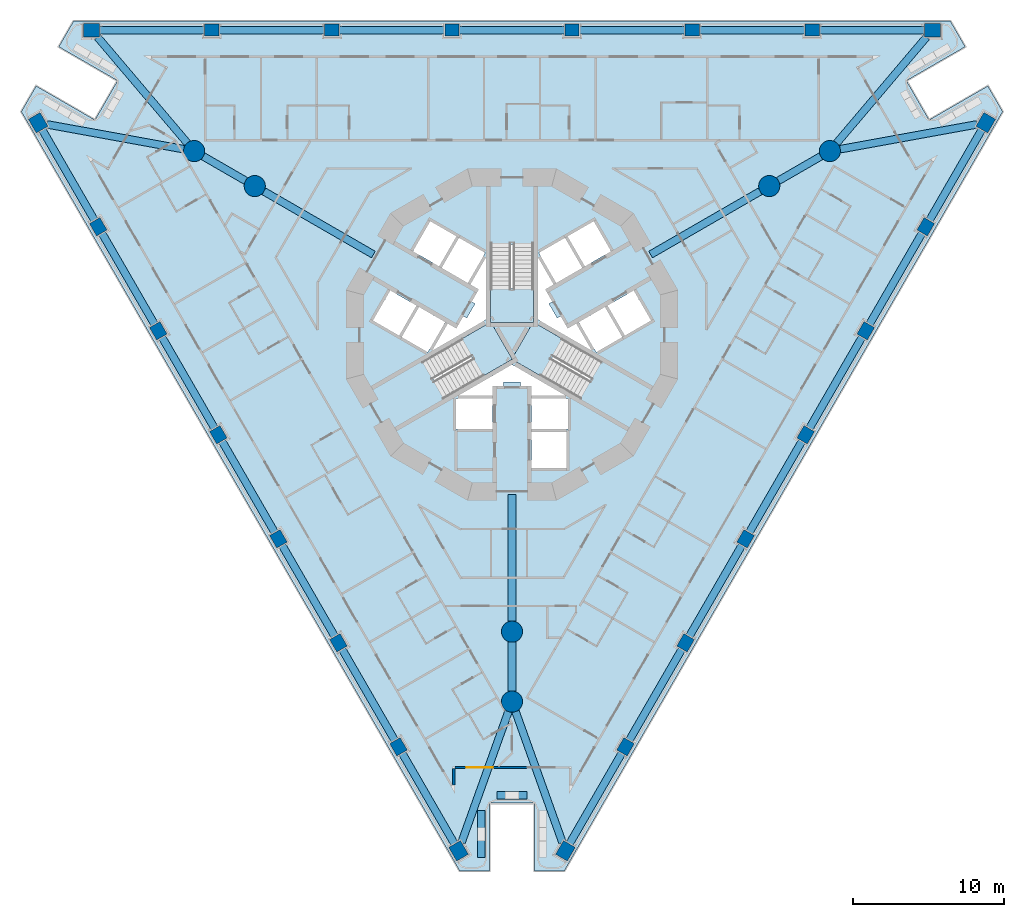
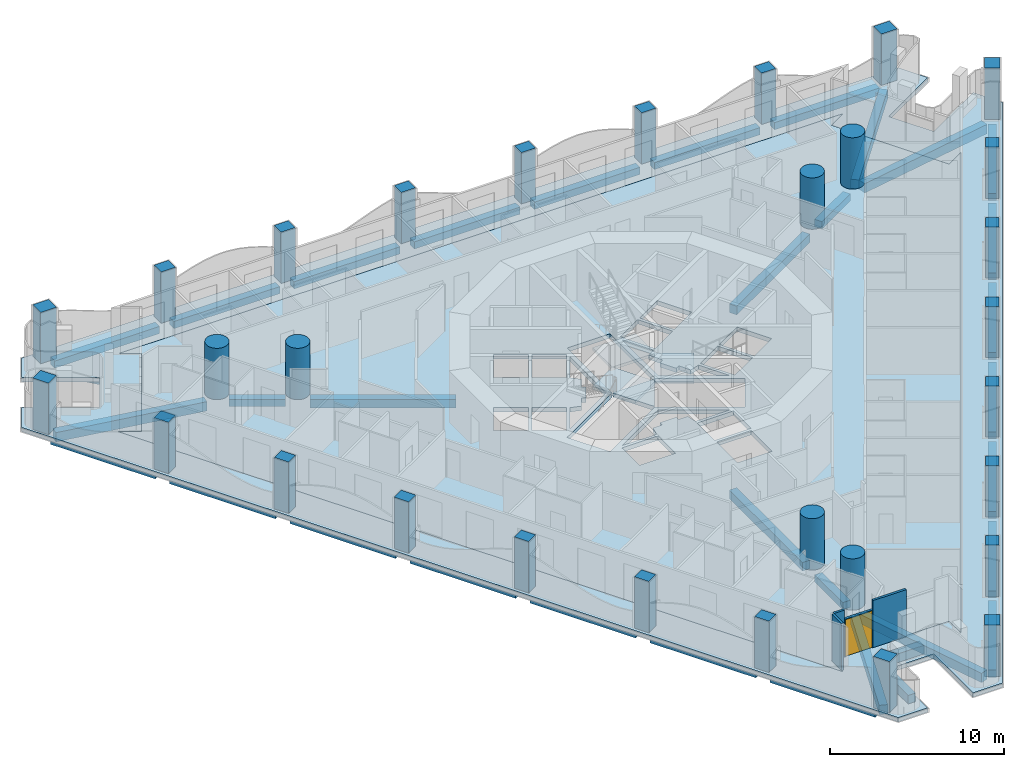
# One storey, part 1 of 19: 33 beams, 30 columns, 6 slabs, 6 walls, 1 door, 1 opening, 3 elements without a shape of their own.
"""IFC4 building model written with IfcOpenShell, lengths in metres."""

from ifc_helpers import new_model, si_unit, direction, frame, frame_2d, origin, origin_2d, place, context, subcontext, project, spatial, polyline, rectangle, circle, outline, extrude, material, layer, layer_set, material_profile, profile_set, type_object, element, fill, aggregate, save


model = new_model("IFC4")

# Units and contexts
model_context = context("Model", 3, precision=1e-05, world=origin(), true_north=direction((0.0, 1.0)))
body_context = subcontext(model_context, "Body", "Model", "MODEL_VIEW")
ifc_project = project(units=[si_unit("LENGTHUNIT", "METRE"), si_unit("AREAUNIT", "SQUARE_METRE"), si_unit("VOLUMEUNIT", "CUBIC_METRE"), si_unit("PLANEANGLEUNIT", "RADIAN"), si_unit("MASSUNIT", "GRAM", prefix="KILO")], contexts=[model_context])

# Site, building, storey
site_placement = place(None, origin())
site = spatial("IfcSite", under=ifc_project, at=site_placement, CompositionType="ELEMENT")
building_placement = place(site_placement, origin())
building = spatial("IfcBuilding", under=site, at=building_placement, Name="Trine Commons Tower", CompositionType="ELEMENT")
storey_placement = place(building_placement, frame((0.0, 0.0, 31.5)))
storey = spatial("IfcBuildingStorey", under=building, at=storey_placement, Name="L06", CompositionType="ELEMENT", Elevation=31.5)

# Columns
ifc_material_1 = material(Name="Concrete C80/95", Category="concrete")
ifc_material_profile_1 = material_profile(ifc_material_1, rectangle(XDim=1.050048828125, YDim=0.89990234375, at=origin_2d()), Name="RC 1050x900")
ifc_profile_set_1 = profile_set([ifc_material_profile_1], Name="Concrete C80/95")
column_type_1 = type_object("IfcColumnType", Name="RC column 1050x900, C80/95", PredefinedType="COLUMN", material=ifc_profile_set_1)
for number, where, z_axis, x_axis, name in (
    (1, (76.45556640625, 28.27001953125, 0.0), (0.0, 0.0, 1.0), (-0.5, 0.866025403784, 0.0), "Column PC1-01 L06"),
    (2, (48.583740234375, 76.54541015625, 0.0), (0.0, 0.0, 1.0), (-0.5, 0.866025403784, 0.0), "Column PC1-08 L06"),
    (3, (52.128173828125, 82.6845703125, 0.0), (0.0, 0.0, 1.0), (1.0, 0.0, 0.0), "Column PC1-09 L06"),
    (4, (107.871826171875, 82.6845703125, 0.0), (0.0, 0.0, 1.0), (1.0, 0.0, 0.0), "Column PC1-16 L06"),
    (5, (111.416259765625, 76.54541015625, 0.0), (0.0, 0.0, 1.0), (0.5, 0.866025403784, 0.0), "Column PC1-17 L06"),
    (6, (83.54443359375, 28.27001953125, 0.0), (0.0, 0.0, 1.0), (0.5, 0.866025403784, 0.0), "Column PC1-24 L06"),
):
    element("IfcColumn", number, at=place(storey_placement, frame(where, z_axis=z_axis, x_axis=x_axis)), inside=storey, type_object=column_type_1, Name=name, PredefinedType="COLUMN", context=body_context, shape_type="SweptSolid", body=[
        extrude(rectangle(XDim=1.050048828125, YDim=0.89990234375, at=origin_2d()), origin(), (0.0, 0.0, 1.0), 3.60009765625),
    ])
ifc_material_profile_2 = material_profile(ifc_material_1, rectangle(XDim=0.949951171875, YDim=0.800048828125, at=origin_2d()), Name="RC 950x800")
ifc_profile_set_2 = profile_set([ifc_material_profile_2], Name="Concrete C80/95")
column_type_2 = type_object("IfcColumnType", Name="RC column 950x800, C80/95", PredefinedType="COLUMN", material=ifc_profile_set_2)
for number, where, z_axis, x_axis, name in (
    (7, (72.473876953125, 35.16650390625, 0.0), (0.0, 0.0, 1.0), (-0.5, 0.866025403784, 0.0), "Column PC1-02 L06"),
    (8, (68.4921875, 42.06298828125, 0.0), (0.0, 0.0, 1.0), (-0.5, 0.866025403784, 0.0), "Column PC1-03 L06"),
    (9, (64.510498046875, 48.95947265625, 0.0), (0.0, 0.0, 1.0), (-0.5, 0.866025403784, 0.0), "Column PC1-04 L06"),
    (10, (60.52880859375, 55.85595703125, 0.0), (0.0, 0.0, 1.0), (-0.5, 0.866025403784, 0.0), "Column PC1-05 L06"),
    (11, (56.547119140625, 62.75244140625, 0.0), (0.0, 0.0, 1.0), (-0.5, 0.866025403784, 0.0), "Column PC1-06 L06"),
    (12, (52.5654296875, 69.64892578125, 0.0), (0.0, 0.0, 1.0), (-0.5, 0.866025403784, 0.0), "Column PC1-07 L06"),
    (13, (60.091552734375, 82.6845703125, 0.0), (0.0, 0.0, 1.0), (1.0, 0.0, 0.0), "Column PC1-10 L06"),
    (14, (68.054931640625, 82.6845703125, 0.0), (0.0, 0.0, 1.0), (1.0, 0.0, 0.0), "Column PC1-11 L06"),
    (15, (76.018310546875, 82.6845703125, 0.0), (0.0, 0.0, 1.0), (1.0, 0.0, 0.0), "Column PC1-12 L06"),
    (16, (83.981689453125, 82.6845703125, 0.0), (0.0, 0.0, 1.0), (1.0, 0.0, 0.0), "Column PC1-13 L06"),
    (17, (91.945068359375, 82.6845703125, 0.0), (0.0, 0.0, 1.0), (1.0, 0.0, 0.0), "Column PC1-14 L06"),
    (18, (99.908447265625, 82.6845703125, 0.0), (0.0, 0.0, 1.0), (1.0, 0.0, 0.0), "Column PC1-15 L06"),
    (19, (107.4345703125, 69.64892578125, 0.0), (0.0, 0.0, 1.0), (0.5, 0.866025403784, 0.0), "Column PC1-18 L06"),
    (20, (103.452880859375, 62.75244140625, 0.0), (0.0, 0.0, 1.0), (0.5, 0.866025403784, 0.0), "Column PC1-19 L06"),
    (21, (99.47119140625, 55.85595703125, 0.0), (0.0, 0.0, 1.0), (0.5, 0.866025403784, 0.0), "Column PC1-20 L06"),
    (22, (95.489501953125, 48.95947265625, 0.0), (0.0, 0.0, 1.0), (0.5, 0.866025403784, 0.0), "Column PC1-21 L06"),
    (23, (91.5078125, 42.06298828125, 0.0), (0.0, 0.0, 1.0), (0.5, 0.866025403784, 0.0), "Column PC1-22 L06"),
    (24, (87.526123046875, 35.16650390625, 0.0), (0.0, 0.0, 1.0), (0.5, 0.866025403784, 0.0), "Column PC1-23 L06"),
):
    element("IfcColumn", number, at=place(storey_placement, frame(where, z_axis=z_axis, x_axis=x_axis)), inside=storey, type_object=column_type_2, Name=name, PredefinedType="COLUMN", context=body_context, shape_type="SweptSolid", body=[
        extrude(rectangle(XDim=0.949951171875, YDim=0.800048828125, at=origin_2d()), origin(), (0.0, 0.0, 1.0), 3.60009765625),
    ])
ifc_material_profile_3 = material_profile(ifc_material_1, circle(Radius=0.699951171875, at=origin_2d()), Name="RC round 1400")
ifc_profile_set_3 = profile_set([ifc_material_profile_3], Name="Concrete C80/95")
column_type_3 = type_object("IfcColumnType", Name="RC round column 1400 mm, C80/95", PredefinedType="COLUMN", material=ifc_profile_set_3)
for number, where, z_axis, x_axis, name in (
    (25, (80.0, 42.802978515625, 0.0), (0.0, 0.0, 1.0), (1.0, 0.0, 0.0), "Column WC1-1 L06"),
    (26, (80.0, 38.162109375, 0.0), (0.0, 0.0, 1.0), (1.0, 0.0, 0.0), "Column WC1-2 L06"),
    (27, (97.05810546875, 72.348388671875, 0.0), (0.0, 0.0, 1.0), (1.0, 0.0, 0.0), "Column WC1-3 L06"),
    (28, (101.0771484375, 74.6689453125, 0.0), (0.0, 0.0, 1.0), (1.0, 0.0, 0.0), "Column WC1-4 L06"),
    (29, (62.94189453125, 72.348388671875, 0.0), (0.0, 0.0, 1.0), (1.0, 0.0, 0.0), "Column WC1-5 L06"),
    (30, (58.9228515625, 74.6689453125, 0.0), (0.0, 0.0, 1.0), (1.0, 0.0, 0.0), "Column WC1-6 L06"),
):
    element("IfcColumn", number, at=place(storey_placement, frame(where, z_axis=z_axis, x_axis=x_axis)), inside=storey, type_object=column_type_3, Name=name, PredefinedType="COLUMN", context=body_context, shape_type="SweptSolid", body=[
        extrude(circle(Radius=0.699951171875, at=origin_2d()), origin(), (0.0, 0.0, 1.0), 3.60009765625),
    ])

# Beams
ifc_material_2 = material(Name="Concrete C50/60", Category="concrete")
ifc_material_profile_4 = material_profile(ifc_material_2, rectangle(XDim=0.5, YDim=0.5, at=origin_2d()), Name="RC 500x500")
ifc_profile_set_4 = profile_set([ifc_material_profile_4], Name="Concrete C50/60")
beam_type_1 = type_object("IfcBeamType", Name="RC beam 500x500, C50/60", PredefinedType="BEAM", material=ifc_profile_set_4)
beam_1_placement = place(storey_placement, frame((76.193115234375, 28.724609375, -0.550048828125), z_axis=(-0.500022902661, 0.866012180523, 0.0), x_axis=(-0.866012180523, -0.500022902661, 0.0)))
element("IfcBeam", 31, at=beam_1_placement, inside=storey, type_object=beam_type_1, Name="Beam EB1-01 L06", PredefinedType="BEAM", context=body_context, shape_type="SweptSolid", body=[
    extrude(rectangle(XDim=0.5, YDim=0.5, at=origin_2d()), origin(), (0.0, 0.0, 1.0), 6.963623046875),
])
beam_2_placement = place(storey_placement, frame((72.236328125, 35.577880859375, -0.550048828125), z_axis=(-0.500017753321, 0.866015153657, 0.0), x_axis=(-0.866015153657, -0.500017753321, 0.0)))
element("IfcBeam", 32, at=beam_2_placement, inside=storey, type_object=beam_type_1, Name="Beam EB1-02 L06", PredefinedType="BEAM", context=body_context, shape_type="SweptSolid", body=[
    extrude(rectangle(XDim=0.5, YDim=0.5, at=origin_2d()), origin(), (0.0, 0.0, 1.0), 7.013427734375),
])
for number, where, z_axis, x_axis, name in (
    (33, (68.254638671875, 42.474365234375, -0.550048828125), (-0.499991645397, 0.866030227263, 0.0), (-0.866030227263, -0.499991645397, 0.0), "Beam EB1-03 L06"),
    (34, (64.27294921875, 49.370849609375, -0.550048828125), (-0.499991645397, 0.866030227263, 0.0), (-0.866030227263, -0.499991645397, 0.0), "Beam EB1-04 L06"),
    (35, (60.291259765625, 56.267333984375, -0.550048828125), (-0.499991645397, 0.866030227263, 0.0), (-0.866030227263, -0.499991645397, 0.0), "Beam EB1-05 L06"),
    (36, (56.3095703125, 63.163818359375, -0.550048828125), (-0.499991645397, 0.866030227263, 0.0), (-0.866030227263, -0.499991645397, 0.0), "Beam EB1-06 L06"),
):
    element("IfcBeam", number, at=place(storey_placement, frame(where, z_axis=z_axis, x_axis=x_axis)), inside=storey, type_object=beam_type_1, Name=name, PredefinedType="BEAM", context=body_context, shape_type="SweptSolid", body=[
        extrude(rectangle(XDim=0.5, YDim=0.5, at=origin_2d()), origin(), (0.0, 0.0, 1.0), 7.01318359375),
    ])
for number, where, z_axis, x_axis, name in (
    (37, (52.327880859375, 70.060302734375, -0.550048828125), (-0.49999660792, 0.866027362194, 0.0), (-0.866027362194, -0.49999660792, 0.0), "Beam EB1-07 L06"),
    (38, (52.6533203125, 82.6845703125, -0.550048828125), (1.0, 0.0, 0.0), (0.0, 1.0, 0.0), "Beam EB1-08 L06"),
):
    element("IfcBeam", number, at=place(storey_placement, frame(where, z_axis=z_axis, x_axis=x_axis)), inside=storey, type_object=beam_type_1, Name=name, PredefinedType="BEAM", context=body_context, shape_type="SweptSolid", body=[
        extrude(rectangle(XDim=0.5, YDim=0.5, at=origin_2d()), origin(), (0.0, 0.0, 1.0), 6.96337890625),
    ])
beam_3_placement = place(storey_placement, frame((60.566650390625, 82.6845703125, -0.550048828125), z_axis=(1.0, 0.0, 0.0), x_axis=(0.0, 1.0, 0.0)))
element("IfcBeam", 39, at=beam_3_placement, inside=storey, type_object=beam_type_1, Name="Beam EB1-09 L06", PredefinedType="BEAM", context=body_context, shape_type="SweptSolid", body=[
    extrude(rectangle(XDim=0.5, YDim=0.5, at=origin_2d()), origin(), (0.0, 0.0, 1.0), 7.01318359375),
])
beam_4_placement = place(storey_placement, frame((68.52978515625, 82.6845703125, -0.550048828125), z_axis=(1.0, 0.0, 0.0), x_axis=(0.0, 1.0, 0.0)))
element("IfcBeam", 40, at=beam_4_placement, inside=storey, type_object=beam_type_1, Name="Beam EB1-10 L06", PredefinedType="BEAM", context=body_context, shape_type="SweptSolid", body=[
    extrude(rectangle(XDim=0.5, YDim=0.5, at=origin_2d()), origin(), (0.0, 0.0, 1.0), 7.013427734375),
])
beam_5_placement = place(storey_placement, frame((76.493408203125, 82.6845703125, -0.550048828125), z_axis=(1.0, 0.0, 0.0), x_axis=(0.0, 1.0, 0.0)))
element("IfcBeam", 41, at=beam_5_placement, inside=storey, type_object=beam_type_1, Name="Beam EB1-11 L06", PredefinedType="BEAM", context=body_context, shape_type="SweptSolid", body=[
    extrude(rectangle(XDim=0.5, YDim=0.5, at=origin_2d()), origin(), (0.0, 0.0, 1.0), 7.01318359375),
])
beam_6_placement = place(storey_placement, frame((84.456787109375, 82.6845703125, -0.550048828125), z_axis=(1.0, 0.0, 0.0), x_axis=(0.0, 1.0, 0.0)))
element("IfcBeam", 42, at=beam_6_placement, inside=storey, type_object=beam_type_1, Name="Beam EB1-12 L06", PredefinedType="BEAM", context=body_context, shape_type="SweptSolid", body=[
    extrude(rectangle(XDim=0.5, YDim=0.5, at=origin_2d()), origin(), (0.0, 0.0, 1.0), 7.013427734375),
])
beam_7_placement = place(storey_placement, frame((92.420166015625, 82.6845703125, -0.550048828125), z_axis=(1.0, 0.0, 0.0), x_axis=(0.0, 1.0, 0.0)))
element("IfcBeam", 43, at=beam_7_placement, inside=storey, type_object=beam_type_1, Name="Beam EB1-13 L06", PredefinedType="BEAM", context=body_context, shape_type="SweptSolid", body=[
    extrude(rectangle(XDim=0.5, YDim=0.5, at=origin_2d()), origin(), (0.0, 0.0, 1.0), 7.01318359375),
])
for number, where, z_axis, x_axis, name in (
    (44, (100.38330078125, 82.6845703125, -0.550048828125), (1.0, 0.0, 0.0), (0.0, 1.0, 0.0), "Beam EB1-14 L06"),
    (45, (111.15380859375, 76.0908203125, -0.550048828125), (-0.49999660792, -0.866027362194, 0.0), (0.866027362194, -0.49999660792, 0.0), "Beam EB1-15 L06"),
):
    element("IfcBeam", number, at=place(storey_placement, frame(where, z_axis=z_axis, x_axis=x_axis)), inside=storey, type_object=beam_type_1, Name=name, PredefinedType="BEAM", context=body_context, shape_type="SweptSolid", body=[
        extrude(rectangle(XDim=0.5, YDim=0.5, at=origin_2d()), origin(), (0.0, 0.0, 1.0), 6.96337890625),
    ])
for number, where, z_axis, x_axis, name in (
    (46, (107.197021484375, 69.237548828125, -0.550048828125), (-0.499991645397, -0.866030227263, 0.0), (0.866030227263, -0.499991645397, 0.0), "Beam EB1-16 L06"),
    (47, (103.21533203125, 62.341064453125, -0.550048828125), (-0.499991645397, -0.866030227263, 0.0), (0.866030227263, -0.499991645397, 0.0), "Beam EB1-17 L06"),
    (48, (99.233642578125, 55.444580078125, -0.550048828125), (-0.499991645397, -0.866030227263, 0.0), (0.866030227263, -0.499991645397, 0.0), "Beam EB1-18 L06"),
    (49, (95.251953125, 48.548095703125, -0.550048828125), (-0.499991645397, -0.866030227263, 0.0), (0.866030227263, -0.499991645397, 0.0), "Beam EB1-19 L06"),
):
    element("IfcBeam", number, at=place(storey_placement, frame(where, z_axis=z_axis, x_axis=x_axis)), inside=storey, type_object=beam_type_1, Name=name, PredefinedType="BEAM", context=body_context, shape_type="SweptSolid", body=[
        extrude(rectangle(XDim=0.5, YDim=0.5, at=origin_2d()), origin(), (0.0, 0.0, 1.0), 7.01318359375),
    ])
beam_8_placement = place(storey_placement, frame((91.2705078125, 41.651611328125, -0.550048828125), z_axis=(-0.500017753321, -0.866015153657, 0.0), x_axis=(0.866015153657, -0.500017753321, 0.0)))
element("IfcBeam", 50, at=beam_8_placement, inside=storey, type_object=beam_type_1, Name="Beam EB1-20 L06", PredefinedType="BEAM", context=body_context, shape_type="SweptSolid", body=[
    extrude(rectangle(XDim=0.5, YDim=0.5, at=origin_2d()), origin(), (0.0, 0.0, 1.0), 7.013427734375),
])
beam_9_placement = place(storey_placement, frame((87.288818359375, 34.755126953125, -0.550048828125), z_axis=(-0.500022902661, -0.866012180523, 0.0), x_axis=(0.866012180523, -0.500022902661, 0.0)))
element("IfcBeam", 51, at=beam_9_placement, inside=storey, type_object=beam_type_1, Name="Beam EB1-21 L06", PredefinedType="BEAM", context=body_context, shape_type="SweptSolid", body=[
    extrude(rectangle(XDim=0.5, YDim=0.5, at=origin_2d()), origin(), (0.0, 0.0, 1.0), 6.963623046875),
])
beam_10_placement = place(storey_placement, frame((80.0, 42.102783203125, -0.550048828125), z_axis=(0.0, -1.0, 0.0), x_axis=(1.0, 0.0, 0.0)))
element("IfcBeam", 52, at=beam_10_placement, inside=storey, type_object=beam_type_1, Name="Beam RB1-02 L06", PredefinedType="BEAM", context=body_context, shape_type="SweptSolid", body=[
    extrude(rectangle(XDim=0.5, YDim=0.5, at=origin_2d()), origin(), (0.0, 0.0, 1.0), 3.240478515625),
])
for number, where, z_axis, x_axis, name in (
    (53, (97.663818359375, 72.697998046875, -0.550048828125), (0.865996235589, 0.500050517394, 0.0), (-0.500050517394, 0.865996235589, 0.0), "Beam RB1-04 L06"),
    (54, (62.336181640625, 72.697998046875, -0.550048828125), (-0.865996235589, 0.500050517394, 0.0), (-0.500050517394, -0.865996235589, 0.0), "Beam RB1-06 L06"),
):
    element("IfcBeam", number, at=place(storey_placement, frame(where, z_axis=z_axis, x_axis=x_axis)), inside=storey, type_object=beam_type_1, Name=name, PredefinedType="BEAM", context=body_context, shape_type="SweptSolid", body=[
        extrude(rectangle(XDim=0.5, YDim=0.5, at=origin_2d()), origin(), (0.0, 0.0, 1.0), 3.242431640625),
    ])
ifc_material_profile_5 = material_profile(ifc_material_2, rectangle(XDim=0.5, YDim=0.60009765625, at=origin_2d()), Name="RC 500x600")
ifc_profile_set_5 = profile_set([ifc_material_profile_5], Name="Concrete C50/60")
beam_type_2 = type_object("IfcBeamType", Name="RC beam 500x600, C50/60", PredefinedType="BEAM", material=ifc_profile_set_5)
beam_11_placement = place(storey_placement, frame((80.0, 51.888427734375, -0.60009765625), z_axis=(0.0, -1.0, 0.0), x_axis=(1.0, 0.0, 0.0)))
element("IfcBeam", 55, at=beam_11_placement, inside=storey, type_object=beam_type_2, Name="Beam RB1-01 L06", PredefinedType="BEAM", context=body_context, shape_type="SweptSolid", body=[
    extrude(rectangle(XDim=0.5, YDim=0.60009765625, at=origin_2d()), origin(), (0.0, 0.0, 1.0), 8.385498046875),
])
for number, where, z_axis, x_axis, name in (
    (56, (89.18994140625, 67.805908203125, -0.60009765625), (0.866038208851, 0.499977820318, 0.0), (-0.499977820318, 0.866038208851, 0.0), "Beam RB1-03 L06"),
    (57, (70.81005859375, 67.805908203125, -0.60009765625), (-0.866038208851, 0.499977820318, 0.0), (-0.499977820318, -0.866038208851, 0.0), "Beam RB1-05 L06"),
):
    element("IfcBeam", number, at=place(storey_placement, frame(where, z_axis=z_axis, x_axis=x_axis)), inside=storey, type_object=beam_type_2, Name=name, PredefinedType="BEAM", context=body_context, shape_type="SweptSolid", body=[
        extrude(rectangle(XDim=0.5, YDim=0.60009765625, at=origin_2d()), origin(), (0.0, 0.0, 1.0), 8.38623046875),
    ])
ifc_material_profile_6 = material_profile(ifc_material_2, rectangle(XDim=0.5, YDim=0.64990234375, at=origin_2d()), Name="RC 500x650")
ifc_profile_set_6 = profile_set([ifc_material_profile_6], Name="Concrete C50/60")
beam_type_3 = type_object("IfcBeamType", Name="RC beam 500x650, C50/60", PredefinedType="BEAM", material=ifc_profile_set_6)
for number, where, z_axis, x_axis, name in (
    (58, (49.1640625, 76.440185546875, -0.625), (0.983921563764, -0.178601109628, 0.0), (0.178601109628, 0.983921563764, 0.0), "Beam CB1-01 L06"),
    (59, (52.509521484375, 82.234619140625, -0.625), (0.646611559024, -0.762819435867, 0.0), (0.762819435867, 0.646611559024, 0.0), "Beam CB1-02 L06"),
    (60, (107.490478515625, 82.234619140625, -0.625), (-0.646611559024, -0.762819435867, 0.0), (0.762819435867, -0.646611559024, 0.0), "Beam CB1-03 L06"),
    (61, (110.8359375, 76.440185546875, -0.625), (-0.983921563764, -0.178601109628, 0.0), (0.178601109628, -0.983921563764, 0.0), "Beam CB1-04 L06"),
):
    element("IfcBeam", number, at=place(storey_placement, frame(where, z_axis=z_axis, x_axis=x_axis)), inside=storey, type_object=beam_type_3, Name=name, PredefinedType="BEAM", context=body_context, shape_type="SweptSolid", body=[
        extrude(rectangle(XDim=0.5, YDim=0.64990234375, at=origin_2d()), origin(), (0.0, 0.0, 1.0), 9.21875),
    ])
for number, where, z_axis, x_axis, name in (
    (62, (83.345458984375, 28.8251953125, -0.625), (-0.337305880684, 0.941395104542, 0.0), (-0.941395104542, -0.337305880684, 0.0), "Beam CB1-05 L06"),
    (63, (76.654541015625, 28.8251953125, -0.625), (0.337305880684, 0.941395104542, 0.0), (-0.941395104542, 0.337305880684, 0.0), "Beam CB1-06 L06"),
):
    element("IfcBeam", number, at=place(storey_placement, frame(where, z_axis=z_axis, x_axis=x_axis)), inside=storey, type_object=beam_type_3, Name=name, PredefinedType="BEAM", context=body_context, shape_type="SweptSolid", body=[
        extrude(rectangle(XDim=0.5, YDim=0.64990234375, at=origin_2d()), origin(), (0.0, 0.0, 1.0), 9.218994140625),
    ])

# Slabs
ifc_layer_1 = layer(ifc_material_2, 0.300048828125)
ifc_layer_set_1 = layer_set([ifc_layer_1], Name="Concrete C50/60")
slab_type_1 = type_object("IfcSlabType", Name="Loggia slab 300 mm, C50/60", PredefinedType="FLOOR", material=ifc_layer_set_1)
slab_1_placement = place(storey_placement, frame((0.0, 0.0, -0.300048828125)))
element("IfcSlab", 64, at=slab_1_placement, inside=storey, type_object=slab_type_1, Name="Loggia slab L06", PredefinedType="FLOOR", context=body_context, shape_type="SweptSolid", body=[
    extrude(outline(polyline([(83.464111328125, 26.930908203125), (112.535888671875, 77.28466796875), (111.5537109375, 78.985595703125), (107.65673828125, 76.735595703125), (106.15673828125, 79.33349609375), (110.0537109375, 81.58349609375), (109.07177734375, 83.28466796875), (50.92822265625, 83.28466796875), (49.9462890625, 81.58349609375), (53.84326171875, 79.33349609375), (52.34326171875, 76.735595703125), (48.4462890625, 78.985595703125), (47.464111328125, 77.28466796875), (76.535888671875, 26.930908203125), (78.5, 26.930908203125), (78.5, 31.430908203125), (81.5, 31.430908203125), (81.5, 26.930908203125), (83.464111328125, 26.930908203125)]), holes=[polyline([(76.10009765625, 32.48583984375), (76.10009765625, 33.830810546875), (83.89990234375, 33.830810546875), (83.89990234375, 32.48583984375), (107.943115234375, 74.129638671875), (106.7783203125, 73.45703125), (102.87841796875, 80.212158203125), (104.043212890625, 80.884521484375), (55.956787109375, 80.884521484375), (57.12158203125, 80.212158203125), (53.2216796875, 73.45703125), (52.056884765625, 74.129638671875), (76.10009765625, 32.48583984375)])]), origin(), (0.0, 0.0, 1.0), 0.300048828125),
])
ifc_layer_2 = layer(ifc_material_2, 0.300048828125)
ifc_layer_set_2 = layer_set([ifc_layer_2], Name="Concrete C50/60")
slab_type_2 = type_object("IfcSlabType", Name="PT flat slab 300 mm, C50/60", PredefinedType="FLOOR", material=ifc_layer_set_2)
slab_2_placement = place(storey_placement, frame((0.0, 0.0, -0.300048828125)))
element("IfcSlab", 65, at=slab_2_placement, inside=storey, type_object=slab_type_2, Name="Floor slab L06", PredefinedType="FLOOR", context=body_context, shape_type="SweptSolid", body=[
    extrude(outline(polyline([(52.056884765625, 74.129638671875), (76.10009765625, 32.48583984375), (76.10009765625, 33.830810546875), (83.89990234375, 33.830810546875), (83.89990234375, 32.48583984375), (107.943115234375, 74.129638671875), (106.7783203125, 73.45703125), (102.87841796875, 80.212158203125), (104.043212890625, 80.884521484375), (55.956787109375, 80.884521484375), (57.12158203125, 80.212158203125), (53.2216796875, 73.45703125), (52.056884765625, 74.129638671875)]), holes=[polyline([(76.300048828125, 56.25), (78.699951171875, 56.25), (78.699951171875, 58.25), (76.300048828125, 58.25), (76.300048828125, 56.25)]), polyline([(81.14990234375, 59.10009765625), (81.300048828125, 58.449951171875), (83.56494140625, 58.449951171875), (80.0, 60.508056640625), (76.43505859375, 58.449951171875), (78.699951171875, 58.449951171875), (78.85009765625, 59.10009765625), (79.449951171875, 59.10009765625), (79.449951171875, 59.360107421875), (80.550048828125, 59.360107421875), (80.550048828125, 59.10009765625), (81.14990234375, 59.10009765625)]), polyline([(80.0, 60.8544921875), (84.4755859375, 58.2705078125), (85.900390625, 60.73876953125), (81.425048828125, 63.32275390625), (81.425048828125, 68.490478515625), (78.574951171875, 68.490478515625), (78.574951171875, 63.32275390625), (74.099609375, 60.73876953125), (75.5244140625, 58.2705078125), (80.0, 60.8544921875)]), polyline([(73.83740234375, 64.325927734375), (72.687255859375, 62.333984375), (74.41943359375, 61.333984375), (75.5693359375, 63.325927734375), (73.83740234375, 64.325927734375)]), polyline([(71.93212890625, 65.426025390625), (70.781982421875, 63.43408203125), (72.51416015625, 62.43408203125), (73.6640625, 64.426025390625), (71.93212890625, 65.426025390625)]), polyline([(76.781005859375, 63.722900390625), (76.381103515625, 63.031005859375), (75.742919921875, 63.22607421875), (74.7099609375, 61.43798828125), (78.27490234375, 63.49609375), (78.27490234375, 67.612060546875), (77.242919921875, 65.823974609375), (77.73095703125, 65.368896484375), (77.3310546875, 64.676025390625), (77.555908203125, 64.5458984375), (77.006103515625, 63.593994140625), (76.781005859375, 63.722900390625)]), polyline([(76.4873046875, 68.916015625), (75.33740234375, 66.924072265625), (77.0693359375, 65.924072265625), (78.219482421875, 67.916015625), (76.4873046875, 68.916015625)]), polyline([(74.58203125, 70.015869140625), (73.43212890625, 68.02392578125), (75.1640625, 67.02392578125), (76.314208984375, 69.015869140625), (74.58203125, 70.015869140625)]), polyline([(81.300048828125, 53.64990234375), (83.60009765625, 53.64990234375), (83.60009765625, 56.050048828125), (81.300048828125, 56.050048828125), (81.300048828125, 53.64990234375)]), polyline([(81.300048828125, 56.25), (83.699951171875, 56.25), (83.699951171875, 58.25), (81.300048828125, 58.25), (81.300048828125, 56.25)]), polyline([(87.312744140625, 62.333984375), (86.16259765625, 64.325927734375), (84.4306640625, 63.325927734375), (85.58056640625, 61.333984375), (87.312744140625, 62.333984375)]), polyline([(89.218017578125, 63.43408203125), (88.06787109375, 65.426025390625), (86.3359375, 64.426025390625), (87.48583984375, 62.43408203125), (89.218017578125, 63.43408203125)]), polyline([(83.243896484375, 63.738037109375), (82.993896484375, 63.593994140625), (82.444091796875, 64.5458984375), (82.72705078125, 64.7099609375), (82.281005859375, 65.549072265625), (82.757080078125, 65.823974609375), (81.72509765625, 67.612060546875), (81.72509765625, 63.49609375), (85.2900390625, 61.43798828125), (84.257080078125, 63.22607421875), (83.618896484375, 63.031005859375), (83.243896484375, 63.738037109375)]), polyline([(82.9306640625, 65.924072265625), (84.66259765625, 66.924072265625), (83.5126953125, 68.916015625), (81.780517578125, 67.916015625), (82.9306640625, 65.924072265625)]), polyline([(84.8359375, 67.02392578125), (86.56787109375, 68.02392578125), (85.41796875, 70.015869140625), (83.685791015625, 69.015869140625), (84.8359375, 67.02392578125)])]), origin(), (0.0, 0.0, 1.0), 0.300048828125),
])
slab_3_placement = place(storey_placement, frame((0.0, 0.0, -0.300048828125)))
element("IfcSlab", 66, at=slab_3_placement, inside=storey, type_object=slab_type_2, Name="Floor slab L06 2", PredefinedType="FLOOR", context=body_context, shape_type="SweptSolid", body=[
    extrude(outline(polyline([(78.61328125, 63.300537109375), (80.0, 60.89892578125), (81.38671875, 63.300537109375), (78.61328125, 63.300537109375)])), origin(), (0.0, 0.0, 1.0), 0.300048828125),
])

# Stair, slab
stair_type = type_object("IfcStairType", Name="Exit stair, dog-leg, 24 risers of 150 mm", PredefinedType="HALF_TURN_STAIR", material=ifc_material_2)
stair_1_placement = place(storey_placement, origin())
stair_1 = element("IfcStair", 67, at=stair_1_placement, inside=storey, type_object=stair_type, Name="L06 Exit stair ST1A", PredefinedType="HALF_TURN_STAIR")
ifc_layer_3 = layer(ifc_material_2, 0.199951171875)
ifc_layer_set_3 = layer_set([ifc_layer_3], Name="Concrete C50/60")
slab_type_3 = type_object("IfcSlabType", Name="Stair landing slab 200 mm, C50/60", PredefinedType="LANDING", material=ifc_layer_set_3)
slab_4_placement = place(storey_placement, frame((0.0, 0.0, 1.60009765625)))
slab_4 = element("IfcSlab", 68, at=slab_4_placement, type_object=slab_type_3, Name="ST1A landing 1", PredefinedType="LANDING", context=body_context, shape_type="SweptSolid", body=[
    extrude(outline(polyline([(78.574951171875, 65.570556640625), (78.574951171875, 63.300537109375), (81.425048828125, 63.300537109375), (81.425048828125, 65.570556640625), (78.574951171875, 65.570556640625)])), origin(), (0.0, 0.0, 1.0), 0.199951171875),
])
aggregate(stair_1, [slab_4])

stair_2_placement = place(storey_placement, origin())
stair_2 = element("IfcStair", 69, at=stair_2_placement, inside=storey, type_object=stair_type, Name="L06 Exit stair ST2A", PredefinedType="HALF_TURN_STAIR")
slab_5_placement = place(storey_placement, frame((0.0, 0.0, 1.60009765625)))
slab_5 = element("IfcSlab", 70, at=slab_5_placement, type_object=slab_type_3, Name="ST2A landing 1", PredefinedType="LANDING", context=body_context, shape_type="SweptSolid", body=[
    extrude(outline(polyline([(78.05322265625, 59.730712890625), (80.019287109375, 60.86572265625), (78.59423828125, 63.333740234375), (76.628173828125, 62.19873046875), (78.05322265625, 59.730712890625)])), origin(), (0.0, 0.0, 1.0), 0.199951171875),
])
aggregate(stair_2, [slab_5])

stair_3_placement = place(storey_placement, origin())
stair_3 = element("IfcStair", 71, at=stair_3_placement, inside=storey, type_object=stair_type, Name="L06 Exit stair ST3A", PredefinedType="HALF_TURN_STAIR")
slab_6_placement = place(storey_placement, frame((0.0, 0.0, 1.60009765625)))
slab_6 = element("IfcSlab", 72, at=slab_6_placement, type_object=slab_type_3, Name="ST3A landing 1", PredefinedType="LANDING", context=body_context, shape_type="SweptSolid", body=[
    extrude(outline(polyline([(83.371826171875, 62.19873046875), (81.40576171875, 63.333740234375), (79.980712890625, 60.86572265625), (81.94677734375, 59.730712890625), (83.371826171875, 62.19873046875)])), origin(), (0.0, 0.0, 1.0), 0.199951171875),
])
aggregate(stair_3, [slab_6])

# Wall
ifc_material_3 = material(Name="Aluminium-framed insulated wall panel", Category="aluminium")
ifc_layer_4 = layer(ifc_material_3, 0.14990234375)
ifc_layer_set_4 = layer_set([ifc_layer_4], Name="Aluminium-framed insulated wall panel")
wall_type_1 = type_object("IfcWallType", Name="Glazed frame wall 150, EI 60", PredefinedType="SOLIDWALL", material=ifc_layer_set_4)
wall_1_placement = place(storey_placement, frame((81.0, 33.7958984375, 0.0), z_axis=(0.0, 0.0, 1.0), x_axis=(-1.0, 0.0, 0.0)))
element("IfcWall", 73, at=wall_1_placement, inside=storey, type_object=wall_type_1, Name="Glazed frame wall P3.3", PredefinedType="SOLIDWALL", context=body_context, shape_type="SweptSolid", body=[
    extrude(outline(polyline([(0.0, -0.074951171875), (2.199951171875, -0.074951171875), (2.199951171875, 0.074951171875), (0.0, 0.074951171875), (0.0, -0.074951171875)])), origin(), (0.0, 0.0, 1.0), 3.300048828125),
])

# Wall, opening, door
wall_2_placement = place(storey_placement, frame((78.800048828125, 33.7958984375, 0.0), z_axis=(0.0, 0.0, 1.0), x_axis=(-1.0, 0.0, 0.0)))
wall_2 = element("IfcWall", 74, at=wall_2_placement, inside=storey, type_object=wall_type_1, Name="Glazed frame wall P3.4", PredefinedType="SOLIDWALL", context=body_context, shape_type="SweptSolid", body=[
    extrude(outline(polyline([(0.0, -0.074951171875), (1.89990234375, -0.074951171875), (1.89990234375, 0.074951171875), (0.0, 0.074951171875), (0.0, -0.074951171875)])), origin(), (0.0, 0.0, 1.0), 2.64990234375),
])
opening_placement = place(wall_2_placement, frame((0.050048828125, 0.0, 0.0)))
opening = element("IfcOpeningElement", 75, at=opening_placement, cuts=wall_2, Name="Opening BD-1P3-02", PredefinedType="OPENING", context=body_context, shape_type="SweptSolid", body=[
    extrude(rectangle(XDim=1.800048828125, YDim=2.60009765625, at=frame_2d((0.89990234375, 1.300048828125))), frame((0.0, 0.0849609375, 0.0), z_axis=(0.0, -1.0, 0.0), x_axis=(1.0, 0.0, 0.0)), (0.0, 0.0, 1.0), 0.169921875),
])
ifc_material_4 = material(Name="Anodised aluminium frame with double glazing", Category="aluminium")
door_type = type_object("IfcDoorType", Name="Sliding loggia door 1800x2600", OperationType="SLIDING_TO_LEFT", PredefinedType="DOOR", material=ifc_material_4)
door_placement = place(opening_placement, origin())
door = element("IfcDoor", 76, at=door_placement, inside=storey, type_object=door_type, Name="Loggia door P3 2", OperationType="SLIDING_TO_LEFT", OverallHeight=2.60009765625, OverallWidth=1.800048828125, PredefinedType="DOOR", context=body_context, shape_type="SweptSolid", body=[
    extrude(rectangle(XDim=1.800048828125, YDim=2.60009765625, at=frame_2d((0.89990234375, 1.300048828125))), frame((0.0, 0.02490234375, 0.0), z_axis=(0.0, -1.0, 0.0), x_axis=(1.0, 0.0, 0.0)), (0.0, 0.0, 1.0), 0.050048828125),
])
fill(opening, door)

# Walls
wall_3_placement = place(storey_placement, frame((76.89990234375, 33.7958984375, 0.0), z_axis=(0.0, 0.0, 1.0), x_axis=(-1.0, 0.0, 0.0)))
element("IfcWall", 77, at=wall_3_placement, inside=storey, type_object=wall_type_1, Name="Glazed frame wall P3.5", PredefinedType="SOLIDWALL", context=body_context, shape_type="SweptSolid", body=[
    extrude(outline(polyline([(0.68994140625, 0.074951171875), (0.0, 0.074951171875), (0.0, -0.074951171875), (0.68994140625, -0.074951171875), (0.68994140625, 0.074951171875)])), origin(), (0.0, 0.0, 1.0), 3.300048828125),
])
wall_4_placement = place(storey_placement, frame((76.135009765625, 33.830810546875, 0.0), z_axis=(0.0, 0.0, 1.0), x_axis=(0.0, -1.0, 0.0)))
element("IfcWall", 78, at=wall_4_placement, inside=storey, type_object=wall_type_1, Name="Glazed frame wall R11", PredefinedType="SOLIDWALL", context=body_context, shape_type="SweptSolid", body=[
    extrude(outline(polyline([(0.110107421875, 0.074951171875), (0.110107421875, -0.074951171875), (1.19580078125, -0.074951171875), (1.19580078125, 0.074951171875), (0.110107421875, 0.074951171875)])), origin(), (0.0, 0.0, 1.0), 3.300048828125),
])
ifc_material_5 = material(Name="Planter trough, precast concrete C40/50", Category="concrete")
ifc_layer_5 = layer(ifc_material_5, 0.5)
ifc_layer_set_5 = layer_set([ifc_layer_5], Name="Planter trough, precast concrete C40/50")
wall_type_2 = type_object("IfcWallType", Name="Planter trough 500x600", PredefinedType="PARAPET", material=ifc_layer_set_5)
wall_5_placement = place(storey_placement, frame((81.0, 31.970703125, 0.0), z_axis=(0.0, 0.0, 1.0), x_axis=(-1.0, 0.0, 0.0)))
element("IfcWall", 79, at=wall_5_placement, inside=storey, type_object=wall_type_2, Name="Planter 8", PredefinedType="PARAPET", context=body_context, shape_type="SweptSolid", body=[
    extrude(rectangle(XDim=2.0, YDim=0.5, at=frame_2d((1.0, 0.0))), origin(), (0.0, 0.0, 1.0), 0.60009765625),
])
wall_6_placement = place(storey_placement, frame((77.9599609375, 30.930908203125, 0.0), z_axis=(0.0, 0.0, 1.0), x_axis=(0.0, -1.0, 0.0)))
element("IfcWall", 80, at=wall_6_placement, inside=storey, type_object=wall_type_2, Name="Planter 9", PredefinedType="PARAPET", context=body_context, shape_type="SweptSolid", body=[
    extrude(rectangle(XDim=3.10009765625, YDim=0.5, at=frame_2d((1.550048828125, 0.0))), origin(), (0.0, 0.0, 1.0), 0.60009765625),
])

save(model, "model.ifc")
